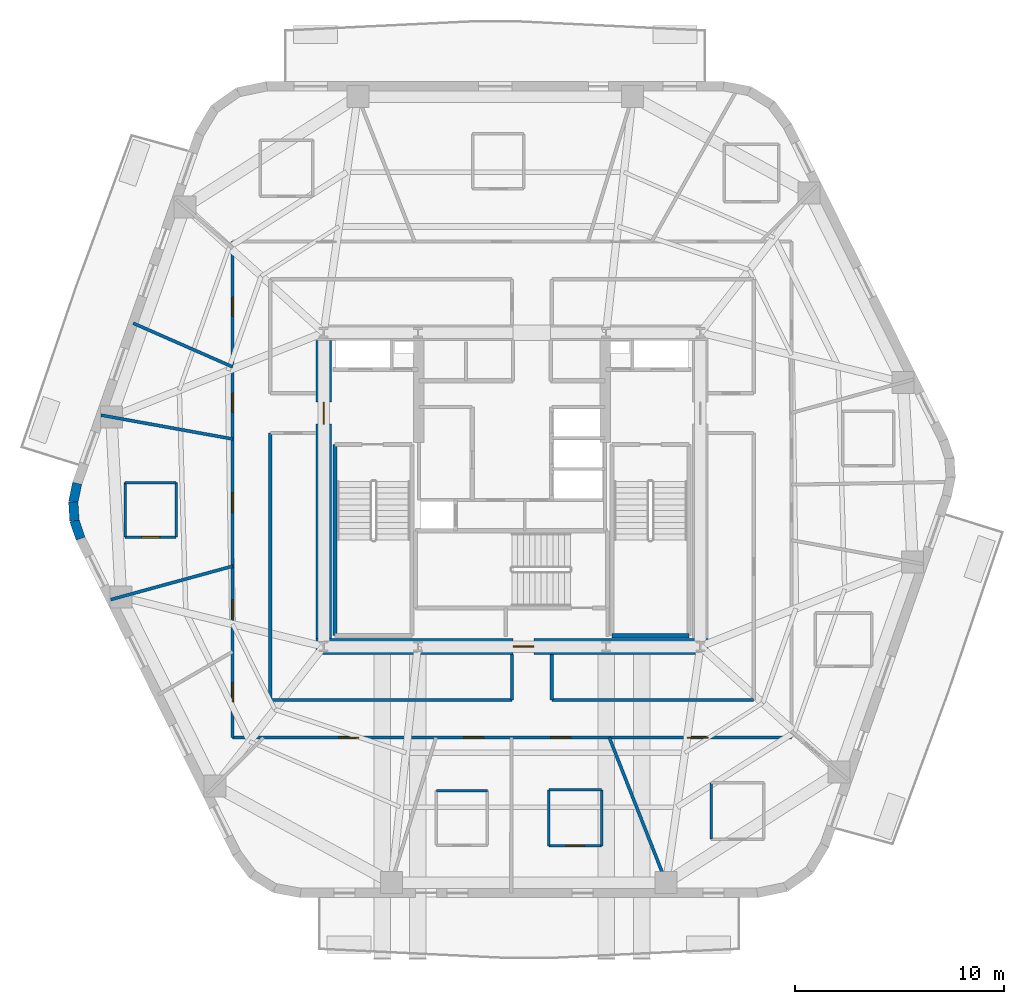
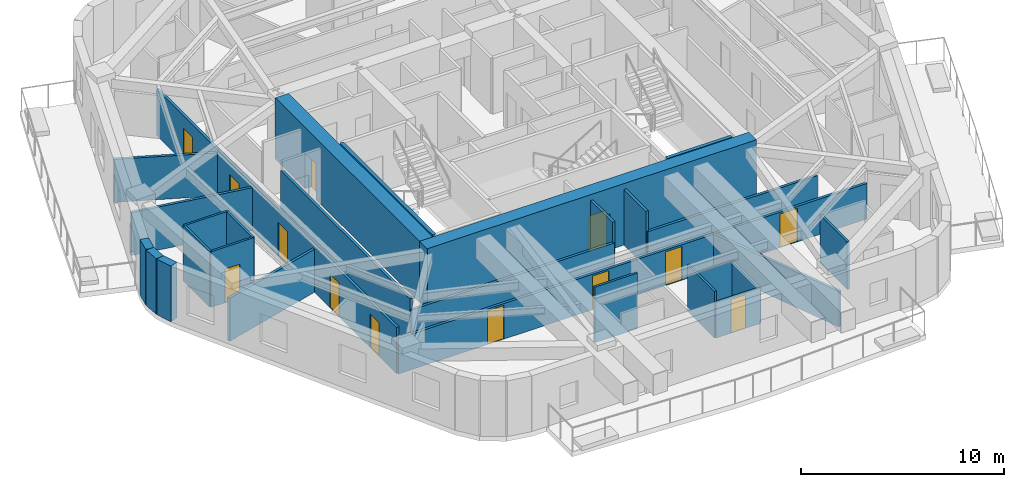
# One storey, part 3 of 11: 28 walls, 13 doors, 13 openings.
"""IFC4 building model written with IfcOpenShell, lengths in metres."""

from ifc_helpers import new_model, si_unit, direction, frame, frame_2d, origin, place, context, subcontext, project, spatial, rectangle, extrude, material, layer, layer_set, type_object, element, fill, save


model = new_model("IFC4")

# Units and contexts
model_context = context("Model", 3, precision=1e-05, world=origin(), true_north=direction((0.0, 1.0)))
body_context = subcontext(model_context, "Body", "Model", "MODEL_VIEW")
ifc_project = project(units=[si_unit("LENGTHUNIT", "METRE"), si_unit("AREAUNIT", "SQUARE_METRE"), si_unit("VOLUMEUNIT", "CUBIC_METRE"), si_unit("PLANEANGLEUNIT", "RADIAN"), si_unit("MASSUNIT", "GRAM", prefix="KILO")], contexts=[model_context])

# Site, building, storey
site_placement = place(None, origin())
site = spatial("IfcSite", under=ifc_project, at=site_placement, CompositionType="ELEMENT")
building_placement = place(site_placement, origin())
building = spatial("IfcBuilding", under=site, at=building_placement, Name="Kilnhurst Terrace Hotel", CompositionType="ELEMENT")
storey_placement = place(building_placement, frame((0.0, 0.0, 197.800048828125)))
storey = spatial("IfcBuildingStorey", under=building, at=storey_placement, Name="L49", CompositionType="ELEMENT", Elevation=197.800048828125)

# Walls
ifc_material_1 = material(Name="Precast concrete C40/50", Category="concrete")
ifc_layer_1 = layer(ifc_material_1, 0.449951171875, Name="Precast concrete C40/50")
ifc_layer_set_1 = layer_set([ifc_layer_1], Name="Precast concrete C40/50")
wall_type_1 = type_object("IfcWallType", Name="WL-BRK-450", PredefinedType="SOLIDWALL", material=ifc_layer_set_1)
wall_1_placement = place(storey_placement, frame((-20.78173828125, 0.298095703125, 0.0), z_axis=(0.0, 0.0, 1.0), x_axis=(-0.202570068411, -0.979267771033, 0.0)))
element("IfcWall", 1, at=wall_1_placement, inside=storey, type_object=wall_type_1, Name="L49 Rounded Corner Brick Wall C6.1", PredefinedType="SOLIDWALL", context=body_context, shape_type="SweptSolid", body=[
    extrude(rectangle(XDim=0.90869140625, YDim=0.449951171875, at=frame_2d((0.454345703125, 0.0))), origin(), (0.0, 0.0, 1.0), 3.349853515625),
])
wall_2_placement = place(storey_placement, frame((-20.9658203125, -0.591796875, 0.0), z_axis=(0.0, 0.0, 1.0), x_axis=(0.061748898935, -0.998091715966, 0.0)))
element("IfcWall", 2, at=wall_2_placement, inside=storey, type_object=wall_type_1, Name="L49 Rounded Corner Brick Wall C6.2", PredefinedType="SOLIDWALL", context=body_context, shape_type="SweptSolid", body=[
    extrude(rectangle(XDim=0.8935546875, YDim=0.449951171875, at=frame_2d((0.44677734375, 0.0))), origin(), (0.0, 0.0, 1.0), 3.349853515625),
])
wall_3_placement = place(storey_placement, frame((-20.91064453125, -1.483642578125, 0.0), z_axis=(0.0, 0.0, 1.0), x_axis=(0.321623334353, -0.946867694453, 0.0)))
element("IfcWall", 3, at=wall_3_placement, inside=storey, type_object=wall_type_1, Name="L49 Rounded Corner Brick Wall C6.3", PredefinedType="SOLIDWALL", context=body_context, shape_type="SweptSolid", body=[
    extrude(rectangle(XDim=0.90869140625, YDim=0.449951171875, at=frame_2d((0.454345703125, 0.0))), origin(), (0.0, 0.0, 1.0), 3.349853515625),
])

# Wall, openings, doors
ifc_material_2 = material(Name="Acoustic Double-Gypsum Corridor Partition Assembly")
ifc_layer_2 = layer(ifc_material_2, 0.14990234375, Name="Acoustic Double-Gypsum Corridor Partition Assembly")
ifc_layer_set_2 = layer_set([ifc_layer_2], Name="Acoustic Double-Gypsum Corridor Partition Assembly")
wall_type_2 = type_object("IfcWallType", Name="WL-COR-150", PredefinedType="PARTITIONING", material=ifc_layer_set_2)
wall_4_placement = place(storey_placement, frame((13.35009765625, -11.85009765625, 0.0), z_axis=(0.0, 0.0, 1.0), x_axis=(-1.0, 0.0, 0.0)))
wall_4 = element("IfcWall", 4, at=wall_4_placement, inside=storey, type_object=wall_type_2, Name="L49 Interior Wall WL-L49-COR-01", PredefinedType="PARTITIONING", context=body_context, shape_type="SweptSolid", body=[
    extrude(rectangle(XDim=26.7001953125, YDim=0.14990234375, at=frame_2d((13.35009765625, 0.0))), origin(), (0.0, 0.0, 1.0), 2.139892578125),
])
opening_1_placement = place(wall_4_placement, frame((20.681884765625, 0.0, 0.0)))
opening_1 = element("IfcOpeningElement", 5, at=opening_1_placement, cuts=wall_4, Name="Opening D-60B", PredefinedType="OPENING", context=body_context, shape_type="SweptSolid", body=[
    extrude(rectangle(XDim=0.949951171875, YDim=2.030029296875, at=frame_2d((0.47509765625, 1.01513671875))), frame((0.0, 0.0849609375, 0.0), z_axis=(0.0, -1.0, 0.0), x_axis=(1.0, 0.0, 0.0)), (0.0, 0.0, 1.0), 0.169921875),
])
opening_2_placement = place(wall_4_placement, frame((14.7080078125, 0.0, 0.0)))
opening_2 = element("IfcOpeningElement", 6, at=opening_2_placement, cuts=wall_4, Name="Opening D-60B", PredefinedType="OPENING", context=body_context, shape_type="SweptSolid", body=[
    extrude(rectangle(XDim=0.949951171875, YDim=2.030029296875, at=frame_2d((0.47509765625, 1.01513671875))), frame((0.0, 0.0849609375, 0.0), z_axis=(0.0, -1.0, 0.0), x_axis=(1.0, 0.0, 0.0)), (0.0, 0.0, 1.0), 0.169921875),
])
opening_3_placement = place(wall_4_placement, frame((10.552978515625, 0.0, 0.0)))
opening_3 = element("IfcOpeningElement", 7, at=opening_3_placement, cuts=wall_4, Name="Opening D-60B", PredefinedType="OPENING", context=body_context, shape_type="SweptSolid", body=[
    extrude(rectangle(XDim=0.949951171875, YDim=2.030029296875, at=frame_2d((0.47509765625, 1.01513671875))), frame((0.0, 0.0849609375, 0.0), z_axis=(0.0, -1.0, 0.0), x_axis=(1.0, 0.0, 0.0)), (0.0, 0.0, 1.0), 0.169921875),
])
opening_4_placement = place(wall_4_placement, frame((3.969970703125, 0.0, 0.0)))
opening_4 = element("IfcOpeningElement", 8, at=opening_4_placement, cuts=wall_4, Name="Opening D-60A", PredefinedType="OPENING", context=body_context, shape_type="SweptSolid", body=[
    extrude(rectangle(XDim=1.0, YDim=2.030029296875, at=frame_2d((0.5, 1.01513671875))), frame((0.0, 0.0849609375, 0.0), z_axis=(0.0, -1.0, 0.0), x_axis=(1.0, 0.0, 0.0)), (0.0, 0.0, 1.0), 0.169921875),
])
ifc_material_3 = material(Name="Acoustic Walnut Veneer Solid-Core Fire Door")
door_type_1 = type_object("IfcDoorType", Name="DR-FD60-1000", OperationType="NOTDEFINED", PredefinedType="DOOR", material=ifc_material_3)
door_1_placement = place(opening_4_placement, origin())
door_1 = element("IfcDoor", 9, at=door_1_placement, inside=storey, type_object=door_type_1, Name="L49 Sky Residence Entry Door 15", OperationType="SINGLE_SWING_LEFT", OverallHeight=2.030029296875, OverallWidth=1.0, PredefinedType="DOOR", context=body_context, shape_type="SweptSolid", body=[
    extrude(rectangle(XDim=1.0, YDim=2.030029296875, at=frame_2d((0.5, 1.01513671875))), frame((0.0, 0.02490234375, 0.0), z_axis=(0.0, -1.0, 0.0), x_axis=(1.0, 0.0, 0.0)), (0.0, 0.0, 1.0), 0.050048828125),
])
fill(opening_4, door_1)
door_type_2 = type_object("IfcDoorType", Name="DR-FD60-950", OperationType="NOTDEFINED", PredefinedType="DOOR", material=ifc_material_3)
door_2_placement = place(opening_1_placement, origin())
door_2 = element("IfcDoor", 10, at=door_2_placement, inside=storey, type_object=door_type_2, Name="L49 Botanical Study Library Door", OperationType="SINGLE_SWING_RIGHT", OverallHeight=2.030029296875, OverallWidth=0.949951171875, PredefinedType="DOOR", context=body_context, shape_type="SweptSolid", body=[
    extrude(rectangle(XDim=0.949951171875, YDim=2.030029296875, at=frame_2d((0.47509765625, 1.01513671875))), frame((0.0, 0.02490234375, 0.0), z_axis=(0.0, -1.0, 0.0), x_axis=(1.0, 0.0, 0.0)), (0.0, 0.0, 1.0), 0.050048828125),
])
fill(opening_1, door_2)
door_3_placement = place(opening_2_placement, origin())
door_3 = element("IfcDoor", 11, at=door_3_placement, inside=storey, type_object=door_type_2, Name="L49 Guest Room Entry Door 13", OperationType="SINGLE_SWING_LEFT", OverallHeight=2.030029296875, OverallWidth=0.949951171875, PredefinedType="DOOR", context=body_context, shape_type="SweptSolid", body=[
    extrude(rectangle(XDim=0.949951171875, YDim=2.030029296875, at=frame_2d((0.47509765625, 1.01513671875))), frame((0.0, 0.02490234375, 0.0), z_axis=(0.0, -1.0, 0.0), x_axis=(1.0, 0.0, 0.0)), (0.0, 0.0, 1.0), 0.050048828125),
])
fill(opening_2, door_3)
door_4_placement = place(opening_3_placement, origin())
door_4 = element("IfcDoor", 12, at=door_4_placement, inside=storey, type_object=door_type_2, Name="L49 Guest Room Entry Door 14", OperationType="SINGLE_SWING_RIGHT", OverallHeight=2.030029296875, OverallWidth=0.949951171875, PredefinedType="DOOR", context=body_context, shape_type="SweptSolid", body=[
    extrude(rectangle(XDim=0.949951171875, YDim=2.030029296875, at=frame_2d((0.47509765625, 1.01513671875))), frame((0.0, 0.02490234375, 0.0), z_axis=(0.0, -1.0, 0.0), x_axis=(1.0, 0.0, 0.0)), (0.0, 0.0, 1.0), 0.050048828125),
])
fill(opening_3, door_4)

wall_5_placement = place(storey_placement, frame((-13.35009765625, -11.85009765625, 0.0), z_axis=(0.0, 0.0, 1.0), x_axis=(0.0, 1.0, 0.0)))
wall_5 = element("IfcWall", 13, at=wall_5_placement, inside=storey, type_object=wall_type_2, Name="L49 Interior Wall WL-L49-COR-02", PredefinedType="PARTITIONING", context=body_context, shape_type="SweptSolid", body=[
    extrude(rectangle(XDim=23.7001953125, YDim=0.14990234375, at=frame_2d((11.85009765625, 0.0))), origin(), (0.0, 0.0, 1.0), 2.7900390625),
])
opening_5_placement = place(wall_5_placement, frame((20.135986328125, 0.0, 0.0)))
opening_5 = element("IfcOpeningElement", 14, at=opening_5_placement, cuts=wall_5, Name="Opening D-60C", PredefinedType="OPENING", context=body_context, shape_type="SweptSolid", body=[
    extrude(rectangle(XDim=0.89990234375, YDim=2.030029296875, at=frame_2d((0.449951171875, 1.01513671875))), frame((0.0, 0.0849609375, 0.0), z_axis=(0.0, -1.0, 0.0), x_axis=(1.0, 0.0, 0.0)), (0.0, 0.0, 1.0), 0.169921875),
])
opening_6_placement = place(wall_5_placement, frame((15.551025390625, 0.0, 0.0)))
opening_6 = element("IfcOpeningElement", 15, at=opening_6_placement, cuts=wall_5, Name="Opening D-60C", PredefinedType="OPENING", context=body_context, shape_type="SweptSolid", body=[
    extrude(rectangle(XDim=0.89990234375, YDim=2.030029296875, at=frame_2d((0.449951171875, 1.01513671875))), frame((0.0, 0.0849609375, 0.0), z_axis=(0.0, -1.0, 0.0), x_axis=(1.0, 0.0, 0.0)), (0.0, 0.0, 1.0), 0.169921875),
])
opening_7_placement = place(wall_5_placement, frame((10.7509765625, 0.0, 0.0)))
opening_7 = element("IfcOpeningElement", 16, at=opening_7_placement, cuts=wall_5, Name="Opening D-60B", PredefinedType="OPENING", context=body_context, shape_type="SweptSolid", body=[
    extrude(rectangle(XDim=0.949951171875, YDim=2.030029296875, at=frame_2d((0.47509765625, 1.01513671875))), frame((0.0, 0.0849609375, 0.0), z_axis=(0.0, -1.0, 0.0), x_axis=(1.0, 0.0, 0.0)), (0.0, 0.0, 1.0), 0.169921875),
])
opening_8_placement = place(wall_5_placement, frame((5.677001953125, 0.0, 0.0)))
opening_8 = element("IfcOpeningElement", 17, at=opening_8_placement, cuts=wall_5, Name="Opening D-60C", PredefinedType="OPENING", context=body_context, shape_type="SweptSolid", body=[
    extrude(rectangle(XDim=0.89990234375, YDim=2.030029296875, at=frame_2d((0.449951171875, 1.01513671875))), frame((0.0, 0.0849609375, 0.0), z_axis=(0.0, -1.0, 0.0), x_axis=(1.0, 0.0, 0.0)), (0.0, 0.0, 1.0), 0.169921875),
])
opening_9_placement = place(wall_5_placement, frame((1.720947265625, 0.0, 0.0)))
opening_9 = element("IfcOpeningElement", 18, at=opening_9_placement, cuts=wall_5, Name="Opening D-60C", PredefinedType="OPENING", context=body_context, shape_type="SweptSolid", body=[
    extrude(rectangle(XDim=0.89990234375, YDim=2.030029296875, at=frame_2d((0.449951171875, 1.01513671875))), frame((0.0, 0.0849609375, 0.0), z_axis=(0.0, -1.0, 0.0), x_axis=(1.0, 0.0, 0.0)), (0.0, 0.0, 1.0), 0.169921875),
])
ifc_material_4 = material(Name="Painted Solid-Core Service Fire Door")
door_type_3 = type_object("IfcDoorType", Name="DR-FD60-900", OperationType="NOTDEFINED", PredefinedType="DOOR", material=ifc_material_4)
door_5_placement = place(opening_5_placement, origin())
door_5 = element("IfcDoor", 19, at=door_5_placement, inside=storey, type_object=door_type_3, Name="L49 Botanical Reading Lounge Door 7", OperationType="SINGLE_SWING_LEFT", OverallHeight=2.030029296875, OverallWidth=0.89990234375, PredefinedType="DOOR", context=body_context, shape_type="SweptSolid", body=[
    extrude(rectangle(XDim=0.89990234375, YDim=2.030029296875, at=frame_2d((0.449951171875, 1.01513671875))), frame((0.0, 0.02490234375, 0.0), z_axis=(0.0, -1.0, 0.0), x_axis=(1.0, 0.0, 0.0)), (0.0, 0.0, 1.0), 0.050048828125),
])
fill(opening_5, door_5)
door_6_placement = place(opening_6_placement, origin())
door_6 = element("IfcDoor", 20, at=door_6_placement, inside=storey, type_object=door_type_3, Name="L49 Private Meeting Salon Door 8", OperationType="SINGLE_SWING_RIGHT", OverallHeight=2.030029296875, OverallWidth=0.89990234375, PredefinedType="DOOR", context=body_context, shape_type="SweptSolid", body=[
    extrude(rectangle(XDim=0.89990234375, YDim=2.030029296875, at=frame_2d((0.449951171875, 1.01513671875))), frame((0.0, 0.02490234375, 0.0), z_axis=(0.0, -1.0, 0.0), x_axis=(1.0, 0.0, 0.0)), (0.0, 0.0, 1.0), 0.050048828125),
])
fill(opening_6, door_6)
door_7_placement = place(opening_8_placement, origin())
door_7 = element("IfcDoor", 21, at=door_7_placement, inside=storey, type_object=door_type_3, Name="L49 Wellness Consultation Room Door 10", OperationType="SINGLE_SWING_RIGHT", OverallHeight=2.030029296875, OverallWidth=0.89990234375, PredefinedType="DOOR", context=body_context, shape_type="SweptSolid", body=[
    extrude(rectangle(XDim=0.89990234375, YDim=2.030029296875, at=frame_2d((0.449951171875, 1.01513671875))), frame((0.0, 0.02490234375, 0.0), z_axis=(0.0, -1.0, 0.0), x_axis=(1.0, 0.0, 0.0)), (0.0, 0.0, 1.0), 0.050048828125),
])
fill(opening_8, door_7)
door_8_placement = place(opening_9_placement, origin())
door_8 = element("IfcDoor", 22, at=door_8_placement, inside=storey, type_object=door_type_3, Name="L49 Private Tasting Dining Room Door 11", OperationType="SINGLE_SWING_LEFT", OverallHeight=2.030029296875, OverallWidth=0.89990234375, PredefinedType="DOOR", context=body_context, shape_type="SweptSolid", body=[
    extrude(rectangle(XDim=0.89990234375, YDim=2.030029296875, at=frame_2d((0.449951171875, 1.01513671875))), frame((0.0, 0.02490234375, 0.0), z_axis=(0.0, -1.0, 0.0), x_axis=(1.0, 0.0, 0.0)), (0.0, 0.0, 1.0), 0.050048828125),
])
fill(opening_9, door_8)
door_9_placement = place(opening_7_placement, origin())
door_9 = element("IfcDoor", 23, at=door_9_placement, inside=storey, type_object=door_type_2, Name="L49 Executive Suite Entry Door 9", OperationType="SINGLE_SWING_LEFT", OverallHeight=2.030029296875, OverallWidth=0.949951171875, PredefinedType="DOOR", context=body_context, shape_type="SweptSolid", body=[
    extrude(rectangle(XDim=0.949951171875, YDim=2.030029296875, at=frame_2d((0.47509765625, 1.01513671875))), frame((0.0, 0.02490234375, 0.0), z_axis=(0.0, -1.0, 0.0), x_axis=(1.0, 0.0, 0.0)), (0.0, 0.0, 1.0), 0.050048828125),
])
fill(opening_7, door_9)

# Walls
wall_6_placement = place(storey_placement, frame((-11.550048828125, 2.699951171875, 0.0), z_axis=(0.0, 0.0, 1.0), x_axis=(0.0, -1.0, 0.0)))
element("IfcWall", 24, at=wall_6_placement, inside=storey, type_object=wall_type_2, Name="L49 Interior Wall WL-L49-COR-16", PredefinedType="PARTITIONING", context=body_context, shape_type="SweptSolid", body=[
    extrude(rectangle(XDim=12.75, YDim=0.14990234375, at=frame_2d((6.375, 0.0))), origin(), (0.0, 0.0, 1.0), 2.7900390625),
])
wall_7_placement = place(storey_placement, frame((-11.550048828125, -10.050048828125, 0.0), z_axis=(0.0, 0.0, 1.0), x_axis=(1.0, 0.0, 0.0)))
element("IfcWall", 25, at=wall_7_placement, inside=storey, type_object=wall_type_2, Name="L49 Interior Wall WL-L49-COR-17", PredefinedType="PARTITIONING", context=body_context, shape_type="SweptSolid", body=[
    extrude(rectangle(XDim=11.550048828125, YDim=0.14990234375, at=frame_2d((5.77490234375, 0.0))), origin(), (0.0, 0.0, 1.0), 2.139892578125),
])
for number, where, z_axis, x_axis, name in (
    (26, (0.0, -10.050048828125, 0.0), (0.0, 0.0, 1.0), (0.0, 1.0, 0.0), "L49 Interior Wall WL-L49-COR-18"),
    (27, (1.89990234375, -7.875, 0.0), (0.0, 0.0, 1.0), (0.0, -1.0, 0.0), "L49 Interior Wall WL-L49-COR-19"),
):
    element("IfcWall", number, at=place(storey_placement, frame(where, z_axis=z_axis, x_axis=x_axis)), inside=storey, type_object=wall_type_2, Name=name, PredefinedType="PARTITIONING", context=body_context, shape_type="SweptSolid", body=[
        extrude(rectangle(XDim=2.175048828125, YDim=0.14990234375, at=frame_2d((1.08740234375, 0.0))), origin(), (0.0, 0.0, 1.0), 3.349853515625),
    ])
wall_8_placement = place(storey_placement, frame((1.89990234375, -10.050048828125, 0.0), z_axis=(0.0, 0.0, 1.0), x_axis=(1.0, 0.0, 0.0)))
element("IfcWall", 28, at=wall_8_placement, inside=storey, type_object=wall_type_2, Name="L49 Interior Wall WL-L49-COR-20", PredefinedType="PARTITIONING", context=body_context, shape_type="SweptSolid", body=[
    extrude(rectangle(XDim=9.650146484375, YDim=0.14990234375, at=frame_2d((4.8251953125, 0.0))), origin(), (0.0, 0.0, 1.0), 2.139892578125),
])

# Wall, opening, door
ifc_material_5 = material(Name="Concrete C60/75", Category="concrete")
ifc_layer_3 = layer(ifc_material_5, 0.75, Name="Concrete C60/75")
ifc_layer_set_3 = layer_set([ifc_layer_3], Name="Concrete C60/75")
wall_type_3 = type_object("IfcWallType", Name="WL-CORE-750", PredefinedType="SHEAR", material=ifc_layer_set_3)
wall_9_placement = place(storey_placement, frame((-9.375, -7.5, 0.0), z_axis=(0.0, 0.0, 1.0), x_axis=(1.0, 0.0, 0.0)))
wall_9 = element("IfcWall", 29, at=wall_9_placement, inside=storey, type_object=wall_type_3, Name="L49 Core South Shear Wall", PredefinedType="SHEAR", context=body_context, shape_type="SweptSolid", body=[
    extrude(rectangle(XDim=18.75, YDim=0.75, at=frame_2d((9.375, 0.0))), origin(), (0.0, 0.0, 1.0), 3.699951171875),
])
opening_10_placement = place(wall_9_placement, frame((9.425048828125, 0.0, 0.0)))
opening_10 = element("IfcOpeningElement", 30, at=opening_10_placement, cuts=wall_9, Name="Opening D-90B", PredefinedType="OPENING", context=body_context, shape_type="SweptSolid", body=[
    extrude(rectangle(XDim=1.0, YDim=2.14990234375, at=frame_2d((0.5, 1.074951171875))), frame((0.0, 0.385009765625, 0.0), z_axis=(0.0, -1.0, 0.0), x_axis=(1.0, 0.0, 0.0)), (0.0, 0.0, 1.0), 0.77001953125),
])
ifc_material_6 = material(Name="Painted Hollow Metal Steel ASTM A36 Fire Door", Category="steel")
door_type_4 = type_object("IfcDoorType", Name="DR-FD90-1000", OperationType="NOTDEFINED", PredefinedType="DOOR", material=ifc_material_6)
door_10_placement = place(opening_10_placement, origin())
door_10 = element("IfcDoor", 31, at=door_10_placement, inside=storey, type_object=door_type_4, Name="L49 Stair ST-3 Corridor Door", OperationType="SINGLE_SWING_RIGHT", OverallHeight=2.14990234375, OverallWidth=1.0, PredefinedType="DOOR", context=body_context, shape_type="SweptSolid", body=[
    extrude(rectangle(XDim=1.0, YDim=2.14990234375, at=frame_2d((0.5, 1.074951171875))), frame((0.0, 0.02490234375, 0.0), z_axis=(0.0, -1.0, 0.0), x_axis=(1.0, 0.0, 0.0)), (0.0, 0.0, 1.0), 0.050048828125),
])
fill(opening_10, door_10)

wall_10_placement = place(storey_placement, frame((-9.0, -7.125, 0.0), z_axis=(0.0, 0.0, 1.0), x_axis=(0.0, 1.0, 0.0)))
wall_10 = element("IfcWall", 32, at=wall_10_placement, inside=storey, type_object=wall_type_3, Name="L49 Core West Shear Wall", PredefinedType="SHEAR", context=body_context, shape_type="SweptSolid", body=[
    extrude(rectangle(XDim=14.25, YDim=0.75, at=frame_2d((7.125, 0.0))), origin(), (0.0, 0.0, 1.0), 3.699951171875),
])
opening_11_placement = place(wall_10_placement, frame((10.25, 0.0, 0.0)))
opening_11 = element("IfcOpeningElement", 33, at=opening_11_placement, cuts=wall_10, Name="Opening D-90A", PredefinedType="OPENING", context=body_context, shape_type="SweptSolid", body=[
    extrude(rectangle(XDim=1.050048828125, YDim=2.14990234375, at=frame_2d((0.52490234375, 1.074951171875))), frame((0.0, 0.385009765625, 0.0), z_axis=(0.0, -1.0, 0.0), x_axis=(1.0, 0.0, 0.0)), (0.0, 0.0, 1.0), 0.77001953125),
])
door_type_5 = type_object("IfcDoorType", Name="DR-FD90-1050", OperationType="NOTDEFINED", PredefinedType="DOOR", material=ifc_material_6)
door_11_placement = place(opening_11_placement, origin())
door_11 = element("IfcDoor", 34, at=door_11_placement, inside=storey, type_object=door_type_5, Name="L49 West Firefighting Lobby Door", OperationType="SINGLE_SWING_RIGHT", OverallHeight=2.14990234375, OverallWidth=1.050048828125, PredefinedType="DOOR", context=body_context, shape_type="SweptSolid", body=[
    extrude(rectangle(XDim=1.050048828125, YDim=2.14990234375, at=frame_2d((0.52490234375, 1.074951171875))), frame((0.0, 0.02490234375, 0.0), z_axis=(0.0, -1.0, 0.0), x_axis=(1.0, 0.0, 0.0)), (0.0, 0.0, 1.0), 0.050048828125),
])
fill(opening_11, door_11)

# Walls
ifc_material_7 = material(Name="STC-58 Acoustic Twin-Frame Guestroom Demising Partition")
ifc_layer_4 = layer(ifc_material_7, 0.14990234375, Name="STC-58 Acoustic Twin-Frame Guestroom Demising Partition")
ifc_layer_set_4 = layer_set([ifc_layer_4], Name="STC-58 Acoustic Twin-Frame Guestroom Demising Partition")
wall_type_4 = type_object("IfcWallType", Name="WL-DEM-150", PredefinedType="PARTITIONING", material=ifc_layer_set_4)
wall_11_placement = place(storey_placement, frame((-13.35009765625, 5.86279296875, 0.0), z_axis=(0.0, 0.0, 1.0), x_axis=(-0.9155832175, 0.402128551376, 0.0)))
element("IfcWall", 35, at=wall_11_placement, inside=storey, type_object=wall_type_4, Name="L49 Interior Wall WL-L49-DEM-MID05-08-1", PredefinedType="PARTITIONING", context=body_context, shape_type="SweptSolid", body=[
    extrude(rectangle(XDim=5.19091796875, YDim=0.14990234375, at=frame_2d((2.595458984375, 0.0))), origin(), (0.0, 0.0, 1.0), 2.58984375),
])
wall_12_placement = place(storey_placement, frame((-13.35009765625, 2.417236328125, 0.0), z_axis=(0.0, 0.0, 1.0), x_axis=(-0.98399796473, 0.178179699761, 0.0)))
element("IfcWall", 36, at=wall_12_placement, inside=storey, type_object=wall_type_4, Name="L49 Interior Wall WL-L49-DEM-COL06-09-1", PredefinedType="PARTITIONING", context=body_context, shape_type="SweptSolid", body=[
    extrude(rectangle(XDim=6.393310546875, YDim=0.14990234375, at=frame_2d((3.19677734375, 0.0))), origin(), (0.0, 0.0, 1.0), 2.58984375),
])
wall_13_placement = place(storey_placement, frame((-13.35009765625, -3.66064453125, 0.0), z_axis=(0.0, 0.0, 1.0), x_axis=(-0.964397145454, -0.264458211898, 0.0)))
element("IfcWall", 37, at=wall_13_placement, inside=storey, type_object=wall_type_4, Name="L49 Interior Wall WL-L49-DEM-COL07-10-1", PredefinedType="PARTITIONING", context=body_context, shape_type="SweptSolid", body=[
    extrude(rectangle(XDim=6.03857421875, YDim=0.14990234375, at=frame_2d((3.019287109375, 0.0))), origin(), (0.0, 0.0, 1.0), 2.58984375),
])
wall_14_placement = place(storey_placement, frame((4.64990234375, -11.85009765625, 0.0), z_axis=(0.0, 0.0, 1.0), x_axis=(0.365265947993, -0.930903210456, 0.0)))
element("IfcWall", 38, at=wall_14_placement, inside=storey, type_object=wall_type_4, Name="L49 Interior Wall WL-L49-DEM-COL10-15-1", PredefinedType="PARTITIONING", context=body_context, shape_type="SweptSolid", body=[
    extrude(rectangle(XDim=7.975830078125, YDim=0.14990234375, at=frame_2d((3.98779296875, 0.0))), origin(), (0.0, 0.0, 1.0), 2.139892578125),
])

# Wall, opening, door
ifc_material_8 = material(Name="120 mm Moisture-Resistant Tile-Backed Bathroom Partition")
ifc_layer_5 = layer(ifc_material_8, 0.1201171875, Name="120 mm Moisture-Resistant Tile-Backed Bathroom Partition")
ifc_layer_set_5 = layer_set([ifc_layer_5], Name="120 mm Moisture-Resistant Tile-Backed Bathroom Partition")
wall_type_5 = type_object("IfcWallType", Name="WL-PART-120", PredefinedType="PARTITIONING", material=ifc_layer_set_5)
wall_15_placement = place(storey_placement, frame((-18.489990234375, -2.278076171875, 0.0), z_axis=(0.0, 0.0, 1.0), x_axis=(1.0, 0.0, 0.0)))
wall_15 = element("IfcWall", 39, at=wall_15_placement, inside=storey, type_object=wall_type_5, Name="L49 Interior Wall WL-L49-BTH-09-1", PredefinedType="PARTITIONING", context=body_context, shape_type="SweptSolid", body=[
    extrude(rectangle(XDim=2.43994140625, YDim=0.1201171875, at=frame_2d((1.219970703125, 0.0))), origin(), (0.0, 0.0, 1.0), 3.349853515625),
])
opening_12_placement = place(wall_15_placement, frame((0.794921875, 0.0, 0.0)))
opening_12 = element("IfcOpeningElement", 40, at=opening_12_placement, cuts=wall_15, Name="Opening D-08A", PredefinedType="OPENING", context=body_context, shape_type="SweptSolid", body=[
    extrude(rectangle(XDim=0.85009765625, YDim=2.030029296875, at=frame_2d((0.425048828125, 1.01513671875))), frame((0.0, 0.070068359375, 0.0), z_axis=(0.0, -1.0, 0.0), x_axis=(1.0, 0.0, 0.0)), (0.0, 0.0, 1.0), 0.14013671875),
])
ifc_material_9 = material(Name="Moisture-Resistant Lacquered En-suite Bathroom Door")
door_type_6 = type_object("IfcDoorType", Name="DR-INT-850", OperationType="NOTDEFINED", PredefinedType="DOOR", material=ifc_material_9)
door_12_placement = place(opening_12_placement, origin())
door_12 = element("IfcDoor", 41, at=door_12_placement, inside=storey, type_object=door_type_6, Name="L49 En-suite Bathroom Door 9", OperationType="SINGLE_SWING_RIGHT", OverallHeight=2.030029296875, OverallWidth=0.85009765625, PredefinedType="DOOR", context=body_context, shape_type="SweptSolid", body=[
    extrude(rectangle(XDim=0.85009765625, YDim=2.030029296875, at=frame_2d((0.425048828125, 1.01513671875))), frame((0.0, 0.02490234375, 0.0), z_axis=(0.0, -1.0, 0.0), x_axis=(1.0, 0.0, 0.0)), (0.0, 0.0, 1.0), 0.050048828125),
])
fill(opening_12, door_12)

# Walls
wall_16_placement = place(storey_placement, frame((-16.050048828125, -2.278076171875, 0.0), z_axis=(0.0, 0.0, 1.0), x_axis=(0.0, 1.0, 0.0)))
element("IfcWall", 42, at=wall_16_placement, inside=storey, type_object=wall_type_5, Name="L49 Interior Wall WL-L49-BTH-09-2", PredefinedType="PARTITIONING", context=body_context, shape_type="SweptSolid", body=[
    extrude(rectangle(XDim=2.610107421875, YDim=0.1201171875, at=frame_2d((1.30517578125, 0.0))), origin(), (0.0, 0.0, 1.0), 3.349853515625),
])
wall_17_placement = place(storey_placement, frame((-16.050048828125, 0.33203125, 0.0), z_axis=(0.0, 0.0, 1.0), x_axis=(-1.0, 0.0, 0.0)))
element("IfcWall", 43, at=wall_17_placement, inside=storey, type_object=wall_type_5, Name="L49 Interior Wall WL-L49-BTH-09-3", PredefinedType="PARTITIONING", context=body_context, shape_type="SweptSolid", body=[
    extrude(rectangle(XDim=2.43994140625, YDim=0.1201171875, at=frame_2d((1.219970703125, 0.0))), origin(), (0.0, 0.0, 1.0), 3.349853515625),
])
wall_18_placement = place(storey_placement, frame((-18.489990234375, 0.33203125, 0.0), z_axis=(0.0, 0.0, 1.0), x_axis=(0.0, -1.0, 0.0)))
element("IfcWall", 44, at=wall_18_placement, inside=storey, type_object=wall_type_5, Name="L49 Interior Wall WL-L49-BTH-09-4", PredefinedType="PARTITIONING", context=body_context, shape_type="SweptSolid", body=[
    extrude(rectangle(XDim=2.610107421875, YDim=0.1201171875, at=frame_2d((1.30517578125, 0.0))), origin(), (0.0, 0.0, 1.0), 3.349853515625),
])
wall_19_placement = place(storey_placement, frame((-1.175048828125, -14.383056640625, 0.0), z_axis=(0.0, 0.0, 1.0), x_axis=(-1.0, 0.0, 0.0)))
element("IfcWall", 45, at=wall_19_placement, inside=storey, type_object=wall_type_5, Name="L49 Interior Wall WL-L49-BTH-13-3", PredefinedType="PARTITIONING", context=body_context, shape_type="SweptSolid", body=[
    extrude(rectangle(XDim=2.43994140625, YDim=0.1201171875, at=frame_2d((1.219970703125, 0.0))), origin(), (0.0, 0.0, 1.0), 3.349853515625),
])

# Wall, opening, door
wall_20_placement = place(storey_placement, frame((1.762939453125, -17.028076171875, 0.0), z_axis=(0.0, 0.0, 1.0), x_axis=(1.0, 0.0, 0.0)))
wall_20 = element("IfcWall", 46, at=wall_20_placement, inside=storey, type_object=wall_type_5, Name="L49 Interior Wall WL-L49-BTH-14-1", PredefinedType="PARTITIONING", context=body_context, shape_type="SweptSolid", body=[
    extrude(rectangle(XDim=2.52001953125, YDim=0.1201171875, at=frame_2d((1.260009765625, 0.0))), origin(), (0.0, 0.0, 1.0), 2.139892578125),
])
opening_13_placement = place(wall_20_placement, frame((0.8349609375, 0.0, 0.0)))
opening_13 = element("IfcOpeningElement", 47, at=opening_13_placement, cuts=wall_20, Name="Opening D-08A", PredefinedType="OPENING", context=body_context, shape_type="SweptSolid", body=[
    extrude(rectangle(XDim=0.85009765625, YDim=2.030029296875, at=frame_2d((0.425048828125, 1.01513671875))), frame((0.0, 0.070068359375, 0.0), z_axis=(0.0, -1.0, 0.0), x_axis=(1.0, 0.0, 0.0)), (0.0, 0.0, 1.0), 0.14013671875),
])
door_13_placement = place(opening_13_placement, origin())
door_13 = element("IfcDoor", 48, at=door_13_placement, inside=storey, type_object=door_type_6, Name="L49 En-suite Bathroom Door 14", OperationType="SINGLE_SWING_LEFT", OverallHeight=2.030029296875, OverallWidth=0.85009765625, PredefinedType="DOOR", context=body_context, shape_type="SweptSolid", body=[
    extrude(rectangle(XDim=0.85009765625, YDim=2.030029296875, at=frame_2d((0.425048828125, 1.01513671875))), frame((0.0, 0.02490234375, 0.0), z_axis=(0.0, -1.0, 0.0), x_axis=(1.0, 0.0, 0.0)), (0.0, 0.0, 1.0), 0.050048828125),
])
fill(opening_13, door_13)

# Walls
wall_21_placement = place(storey_placement, frame((4.282958984375, -17.028076171875, 0.0), z_axis=(0.0, 0.0, 1.0), x_axis=(0.0, 1.0, 0.0)))
element("IfcWall", 49, at=wall_21_placement, inside=storey, type_object=wall_type_5, Name="L49 Interior Wall WL-L49-BTH-14-2", PredefinedType="PARTITIONING", context=body_context, shape_type="SweptSolid", body=[
    extrude(rectangle(XDim=2.68017578125, YDim=0.1201171875, at=frame_2d((1.340087890625, 0.0))), origin(), (0.0, 0.0, 1.0), 2.139892578125),
])
wall_22_placement = place(storey_placement, frame((4.282958984375, -14.347900390625, 0.0), z_axis=(0.0, 0.0, 1.0), x_axis=(-1.0, 0.0, 0.0)))
element("IfcWall", 50, at=wall_22_placement, inside=storey, type_object=wall_type_5, Name="L49 Interior Wall WL-L49-BTH-14-3", PredefinedType="PARTITIONING", context=body_context, shape_type="SweptSolid", body=[
    extrude(rectangle(XDim=2.52001953125, YDim=0.1201171875, at=frame_2d((1.260009765625, 0.0))), origin(), (0.0, 0.0, 1.0), 2.139892578125),
])
wall_23_placement = place(storey_placement, frame((1.762939453125, -14.347900390625, 0.0), z_axis=(0.0, 0.0, 1.0), x_axis=(0.0, -1.0, 0.0)))
element("IfcWall", 51, at=wall_23_placement, inside=storey, type_object=wall_type_5, Name="L49 Interior Wall WL-L49-BTH-14-4", PredefinedType="PARTITIONING", context=body_context, shape_type="SweptSolid", body=[
    extrude(rectangle(XDim=2.68017578125, YDim=0.1201171875, at=frame_2d((1.340087890625, 0.0))), origin(), (0.0, 0.0, 1.0), 2.79052734375),
])
wall_24_placement = place(storey_placement, frame((9.51611328125, -14.02197265625, 0.0), z_axis=(0.0, 0.0, 1.0), x_axis=(0.0, -1.0, 0.0)))
element("IfcWall", 52, at=wall_24_placement, inside=storey, type_object=wall_type_5, Name="L49 Interior Wall WL-L49-KIT-15-4", PredefinedType="PARTITIONING", context=body_context, shape_type="SweptSolid", body=[
    extrude(rectangle(XDim=2.679931640625, YDim=0.1201171875, at=frame_2d((1.33984375, 0.0))), origin(), (0.0, 0.0, 1.0), 2.87646484375),
])
ifc_material_10 = material(Name="Concrete C50/60", Category="concrete")
ifc_layer_6 = layer(ifc_material_10, 0.199951171875, Name="Concrete C50/60")
ifc_layer_set_6 = layer_set([ifc_layer_6], Name="Concrete C50/60")
wall_type_6 = type_object("IfcWallType", Name="WL-STAIR-RC-200", PredefinedType="SHEAR", material=ifc_layer_set_6)
wall_25_placement = place(storey_placement, frame((-8.4580078125, -6.985107421875, 0.0), z_axis=(0.0, 0.0, 1.0), x_axis=(0.0, 1.0, 0.0)))
element("IfcWall", 53, at=wall_25_placement, inside=storey, type_object=wall_type_6, Name="L49 Structural Stair Shaft Wall WL-L49-ST1-W", PredefinedType="SHEAR", context=body_context, shape_type="SweptSolid", body=[
    extrude(rectangle(XDim=9.14306640625, YDim=0.199951171875, at=frame_2d((4.571533203125, 0.0))), origin(), (0.0, 0.0, 1.0), 3.699951171875),
])
wall_26_placement = place(storey_placement, frame((4.77197265625, -6.985107421875, 0.0), z_axis=(0.0, 0.0, 1.0), x_axis=(1.0, 0.0, 0.0)))
element("IfcWall", 54, at=wall_26_placement, inside=storey, type_object=wall_type_6, Name="L49 Structural Stair Shaft Wall WL-L49-ST2-S", PredefinedType="SHEAR", context=body_context, shape_type="SweptSolid", body=[
    extrude(rectangle(XDim=3.68603515625, YDim=0.199951171875, at=frame_2d((1.843017578125, 0.0))), origin(), (0.0, 0.0, 1.0), 3.699951171875),
])

save(model, "model.ifc")
